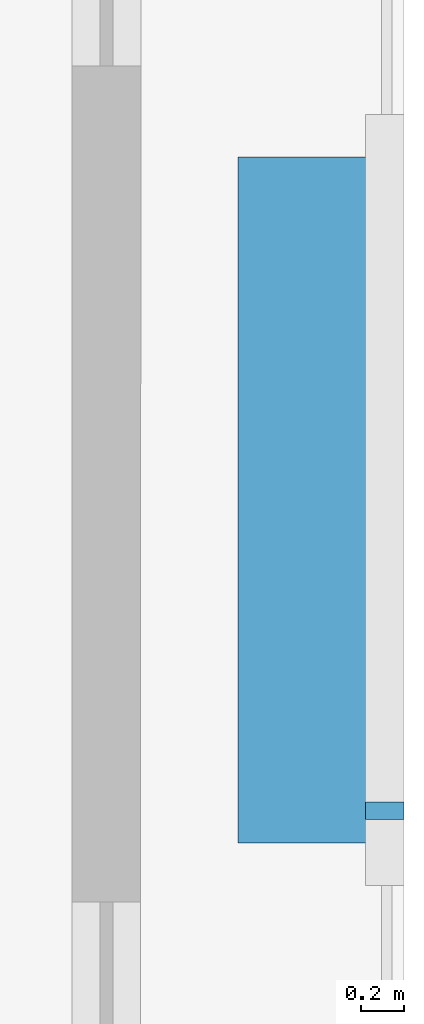
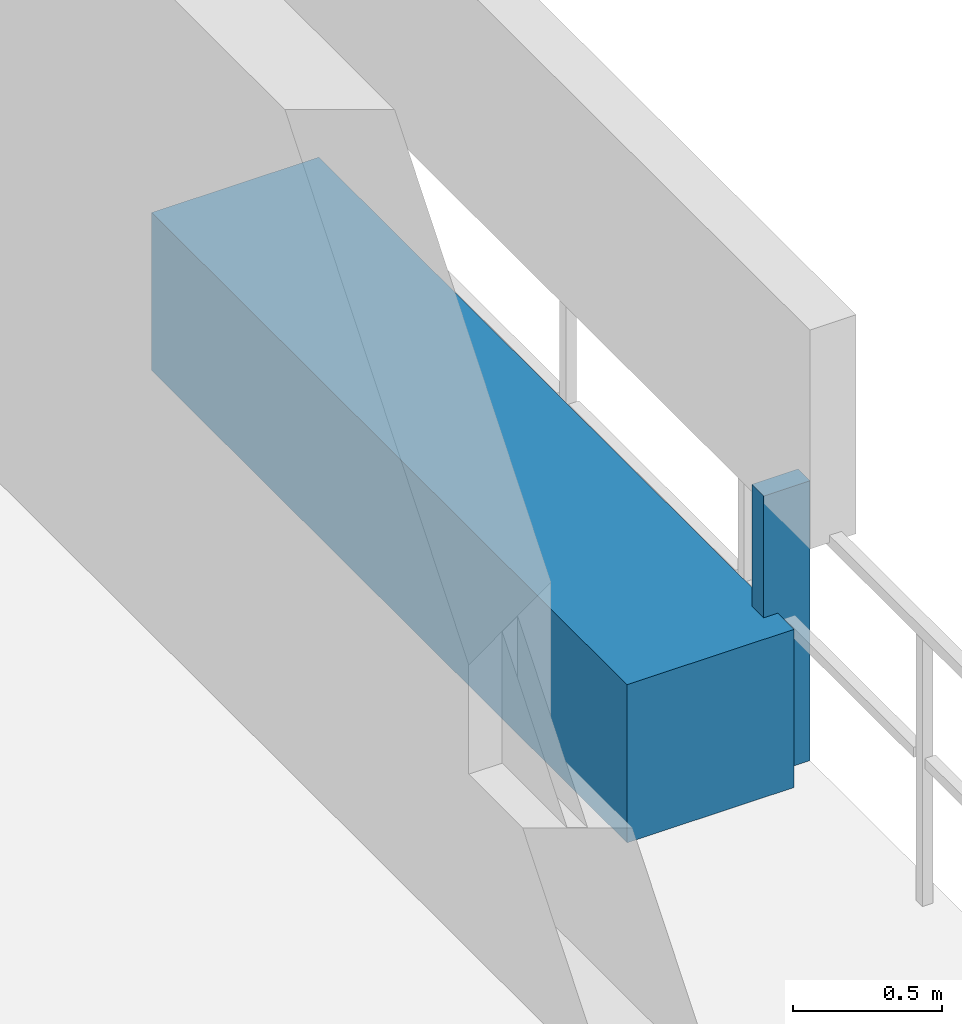
# One storey, part 28 of 32: 2 discrete accessories.
"""IFC4 building model written with IfcOpenShell, lengths in metres."""

import ifcopenshell
import ifcopenshell.guid

model = None  # the IFC model being written
_history = None  # IfcOwnerHistory: only IFC2X3 demands one
_inside = {}  # id of a spatial element -> (the spatial element, [elements in it])
_under = {}  # id of a project, library or spatial element -> (it, [spatial elements below it])
_declared = {}  # id of a project -> (the project, [libraries it declares])
_typed = {}  # id of a type object -> (the type object, [elements of that type])
_made_of = {}  # id of a material, layer set ... -> (it, [elements and type objects made of it])


def new_model(schema):
    """Start an empty IFC model of exactly this schema.

    Asked for "IFC4X3", IfcOpenShell would pick the latest addendum, in which some entities
    have other attributes; the version numbers below select the first issue.
    IFC2X3 requires an IfcOwnerHistory on every rooted entity: one is made here for all.
    """
    global model, _history
    if schema == "IFC4X3":
        model = ifcopenshell.file(schema_version=(4, 3, 0, 0))
    else:
        model = ifcopenshell.file(schema=schema)
    _inside.clear()
    _under.clear()
    _declared.clear()
    _typed.clear()
    _made_of.clear()
    _history = None
    if model.schema == "IFC2X3":
        org = make("IfcOrganization", Name="unknown")
        user = make(
            "IfcPersonAndOrganization",
            ThePerson=make("IfcPerson", FamilyName="unknown"),
            TheOrganization=org,
        )
        app = make(
            "IfcApplication",
            ApplicationDeveloper=org,
            Version="unknown",
            ApplicationFullName="unknown",
            ApplicationIdentifier="unknown",
        )
        _history = make(
            "IfcOwnerHistory",
            OwningUser=user,
            OwningApplication=app,
            ChangeAction="ADDED",
            CreationDate=0,
        )
    return model


def make(cls, **values):
    """One entity of the class cls with the attributes given. An attribute that is None is left unset."""
    return model.create_entity(
        cls, **{name: value for name, value in values.items() if value is not None}
    )


def rooted(cls, **values):
    """An entity with a GlobalId (a new one), such as an element, a storey or a relation."""
    return make(cls, GlobalId=ifcopenshell.guid.new(), OwnerHistory=_history, **values)


def si_unit(unit_type, name, prefix=None):
    """IfcSIUnit, for example si_unit("LENGTHUNIT", "METRE", prefix="MILLI")."""
    return make("IfcSIUnit", UnitType=unit_type, Prefix=prefix, Name=name)


def assignment(units):
    """IfcUnitAssignment: the units of a project."""
    return None if units is None else make("IfcUnitAssignment", Units=units)


def point(xyz):
    """IfcCartesianPoint."""
    return None if xyz is None else make("IfcCartesianPoint", Coordinates=xyz)


def direction(xyz):
    """IfcDirection."""
    return None if xyz is None else make("IfcDirection", DirectionRatios=xyz)


def frame(location, z_axis=None, x_axis=None):
    """IfcAxis2Placement3D, a coordinate frame: its origin and axes. An axis left out is left unset."""
    return make(
        "IfcAxis2Placement3D",
        Location=point(location),
        Axis=direction(z_axis),
        RefDirection=direction(x_axis),
    )


def frame_2d(location, x_axis=None):
    """IfcAxis2Placement2D, a coordinate frame in the plane: its origin and x axis."""
    return make(
        "IfcAxis2Placement2D", Location=point(location), RefDirection=direction(x_axis)
    )


def origin():
    """The frame at (0, 0, 0) with its axes left unset."""
    return frame((0.0, 0.0, 0.0))


def origin_2d():
    """The frame at (0, 0) in the plane with its x axis left unset."""
    return frame_2d((0.0, 0.0))


def place(relative_to, where):
    """IfcLocalPlacement: puts the frame where relative to a parent placement (None: the world)."""
    return make(
        "IfcLocalPlacement", PlacementRelTo=relative_to, RelativePlacement=where
    )


def context(
    kind, dimensions, precision=None, world=None, true_north=None, identifier=None
):
    """IfcGeometricRepresentationContext, for example the 3D "Model" context."""
    return make(
        "IfcGeometricRepresentationContext",
        ContextIdentifier=identifier,
        ContextType=kind,
        CoordinateSpaceDimension=dimensions,
        Precision=precision,
        WorldCoordinateSystem=world,
        TrueNorth=true_north,
    )


def subcontext(parent, identifier, kind, view, scale=None):
    """IfcGeometricRepresentationSubContext, for example "Body" below "Model"."""
    return make(
        "IfcGeometricRepresentationSubContext",
        ContextIdentifier=identifier,
        ContextType=kind,
        ParentContext=parent,
        TargetScale=scale,
        TargetView=view,
    )


def project(units=None, contexts=None):
    """IfcProject with its units and contexts."""
    return rooted(
        "IfcProject",
        Name="project",
        RepresentationContexts=contexts,
        UnitsInContext=assignment(units),
    )


def spatial(cls, under=None, at=None, **own):
    """A site, building, storey or space (cls), placed at a placement, below another one or the project."""
    s = rooted(cls, ObjectPlacement=at, **own)
    if under is not None:
        _under.setdefault(under.id(), (under, []))[1].append(s)
    return s


def profile(cls, at=None, kind="AREA", **sizes):
    """A parametric profile (cls). Its sizes go by their IFC names, for example OverallWidth=200.0."""
    return make(cls, ProfileType=kind, Position=at, **sizes)


def rectangle(**sizes):
    """IfcRectangleProfileDef."""
    return profile("IfcRectangleProfileDef", **sizes)


def extrude(swept, where, along, depth):
    """IfcExtrudedAreaSolid: the profile swept, set in the frame where, extruded along a direction by depth."""
    return make(
        "IfcExtrudedAreaSolid",
        SweptArea=swept,
        Position=where,
        ExtrudedDirection=direction(along),
        Depth=depth,
    )


def shape(context_of_items, identifier, shape_type, items):
    """IfcShapeRepresentation: the items that make up one representation, for example the "Body"."""
    return make(
        "IfcShapeRepresentation",
        ContextOfItems=context_of_items,
        RepresentationIdentifier=identifier,
        RepresentationType=shape_type,
        Items=items,
    )


def material(Name=None, Category=None):
    """IfcMaterial."""
    return make("IfcMaterial", Name=Name, Category=Category)


def made_of(thing, what):
    """Note that an element or type object is made of a material, layer set ...; save() writes the relation."""
    if what is not None:
        _made_of.setdefault(what.id(), (what, []))[1].append(thing)
    return thing


def type_object(cls, material=None, **own):
    """A type object (cls), such as IfcWallType, which elements share."""
    return made_of(rooted(cls, **own), material)


def element(
    cls,
    number,
    at=None,
    inside=None,
    cuts=None,
    type_object=None,
    material=None,
    context=None,
    identifier="Body",
    shape_type=None,
    held_by="IfcProductDefinitionShape",
    body=None,
    shapes=None,
    **own,
):
    """One element of the class cls, such as IfcWall. Its Tag is "e" and its number.

    at: its placement. inside: the storey or other place that contains it. cuts: it is an
    opening in that element (IfcRelVoidsElement). A single representation is given by context,
    identifier, shape_type and body (its items); several are given by shapes. held_by: the class
    of the entity that holds the representations. save() writes the other relations.
    """
    e = rooted(cls, Tag="e%d" % number, ObjectPlacement=at, **own)
    if body is not None:
        shapes = [shape(context, identifier, shape_type, body)]
    if shapes is not None:
        e.Representation = make(held_by, Representations=shapes)
    if inside is not None:
        _inside.setdefault(inside.id(), (inside, []))[1].append(e)
    if cuts is not None:
        rooted(
            "IfcRelVoidsElement", RelatingBuildingElement=cuts, RelatedOpeningElement=e
        )
    if type_object is not None:
        _typed.setdefault(type_object.id(), (type_object, []))[1].append(e)
    return made_of(e, material)


def aggregate(whole, parts):
    """IfcRelAggregates: a whole, such as a stair, and the parts it consists of."""
    return rooted("IfcRelAggregates", RelatingObject=whole, RelatedObjects=parts)


def save(model, path):
    """Write the relations noted so far, then the file.

    IfcRelAggregates (storeys below a building ...), IfcRelContainedInSpatialStructure (elements
    in a storey), IfcRelDefinesByType, IfcRelAssociatesMaterial and IfcRelDeclares: one each for
    every whole, place, type object, material and project.
    """
    for whole, parts in _under.values():
        aggregate(whole, parts)
    for where, things in _inside.values():
        rooted(
            "IfcRelContainedInSpatialStructure",
            RelatedElements=things,
            RelatingStructure=where,
        )
    for kind, things in _typed.values():
        rooted("IfcRelDefinesByType", RelatedObjects=things, RelatingType=kind)
    for what, things in _made_of.values():
        rooted("IfcRelAssociatesMaterial", RelatedObjects=things, RelatingMaterial=what)
    for by, libraries in _declared.values():
        rooted("IfcRelDeclares", RelatingContext=by, RelatedDefinitions=libraries)
    model.write(path)


model = new_model("IFC4")

# Units and contexts
model_context = context("Model", 3, precision=1e-05, world=origin(), true_north=direction((0.0, 1.0)))
body_context = subcontext(model_context, "Body", "Model", "MODEL_VIEW")
ifc_project = project(units=[si_unit("LENGTHUNIT", "METRE"), si_unit("AREAUNIT", "SQUARE_METRE"), si_unit("VOLUMEUNIT", "CUBIC_METRE"), si_unit("PLANEANGLEUNIT", "RADIAN"), si_unit("MASSUNIT", "GRAM", prefix="KILO")], contexts=[model_context])

# Site, building, storey
site_placement = place(None, origin())
site = spatial("IfcSite", under=ifc_project, at=site_placement, CompositionType="ELEMENT")
building_placement = place(site_placement, origin())
building = spatial("IfcBuilding", under=site, at=building_placement, Name="Thornwick Lancets Civic Towers", CompositionType="ELEMENT")
storey_placement = place(building_placement, frame((0.0, 0.0, 247.5)))
storey = spatial("IfcBuildingStorey", under=building, at=storey_placement, Name="L66", CompositionType="ELEMENT", Elevation=247.5)

# Discrete accessories
ifc_material_1 = material(Name="Planted terracotta greenery planter", Category="masonry")
discrete_accessory_type_1 = type_object("IfcDiscreteAccessoryType", Name="ACC_PLANTER_BOX", PredefinedType="USERDEFINED", material=ifc_material_1)
discrete_accessory_1_placement = place(storey_placement, frame((113.199951171875, 27.0, 0.0), z_axis=(0.0, 0.0, 1.0), x_axis=(1.0, 0.0, 0.0)))
element("IfcDiscreteAccessory", 1, at=discrete_accessory_1_placement, inside=storey, type_object=discrete_accessory_type_1, Name="L66 Tower B Balcony Greenery Planter E", ObjectType="PLANTER", PredefinedType="USERDEFINED", context=body_context, shape_type="SweptSolid", body=[
    extrude(rectangle(XDim=0.64990234375, YDim=3.199951171875, at=origin_2d()), origin(), (0.0, 0.0, 1.0), 0.64990234375),
])
ifc_material_2 = material(Name="Stainless steel S355", Category="steel")
discrete_accessory_type_2 = type_object("IfcDiscreteAccessoryType", Name="ACC_SCREEN_BRACKET", PredefinedType="BRACKET", material=ifc_material_2)
discrete_accessory_2_placement = place(storey_placement, frame((113.56005859375, 25.550048828125, 0.0), z_axis=(0.0, 0.0, 1.0), x_axis=(0.0, 1.0, 0.0)))
element("IfcDiscreteAccessory", 2, at=discrete_accessory_2_placement, inside=storey, type_object=discrete_accessory_type_2, Name="L66 Tower B Balcony Screen Stanchion Bracket E-1", PredefinedType="BRACKET", context=body_context, shape_type="SweptSolid", body=[
    extrude(rectangle(XDim=0.080078125, YDim=0.179931640625, at=origin_2d()), origin(), (0.0, 0.0, 1.0), 1.14990234375),
])

save(model, "model.ifc")
